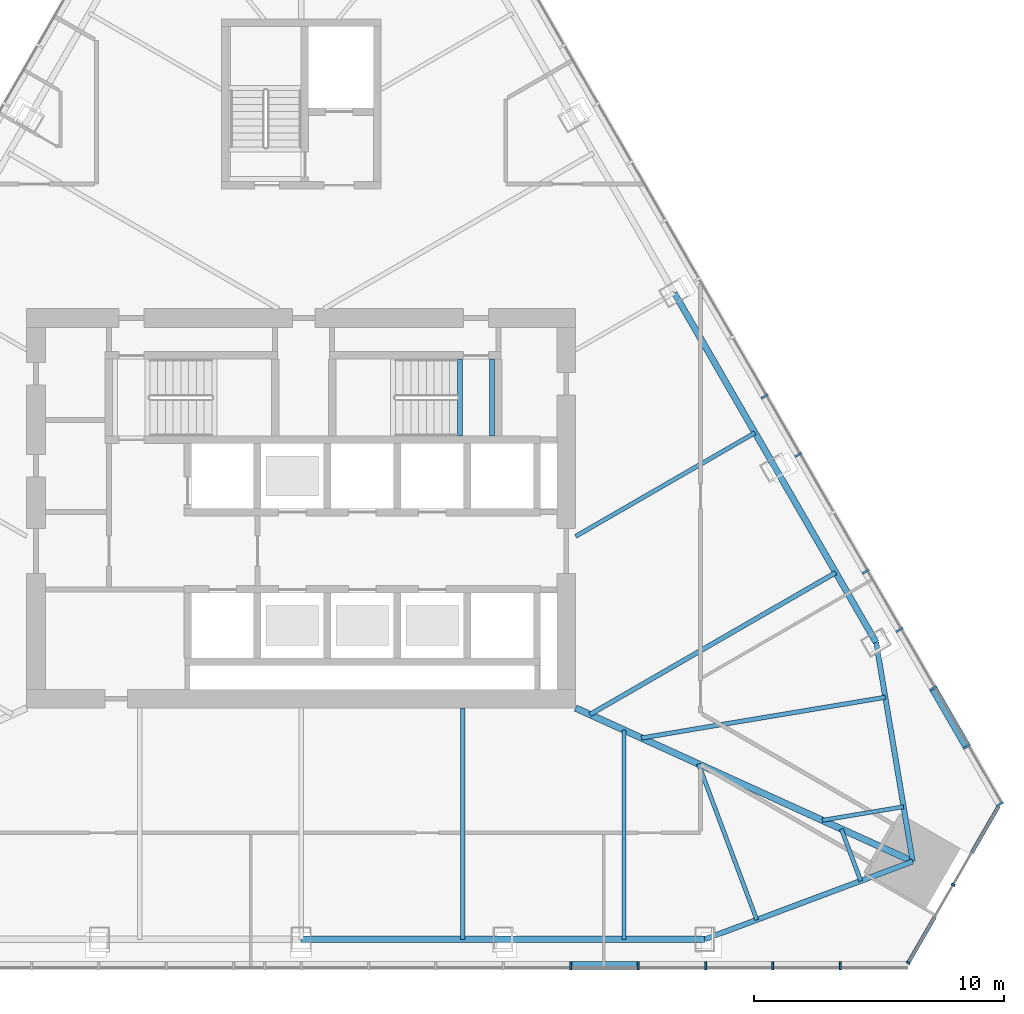
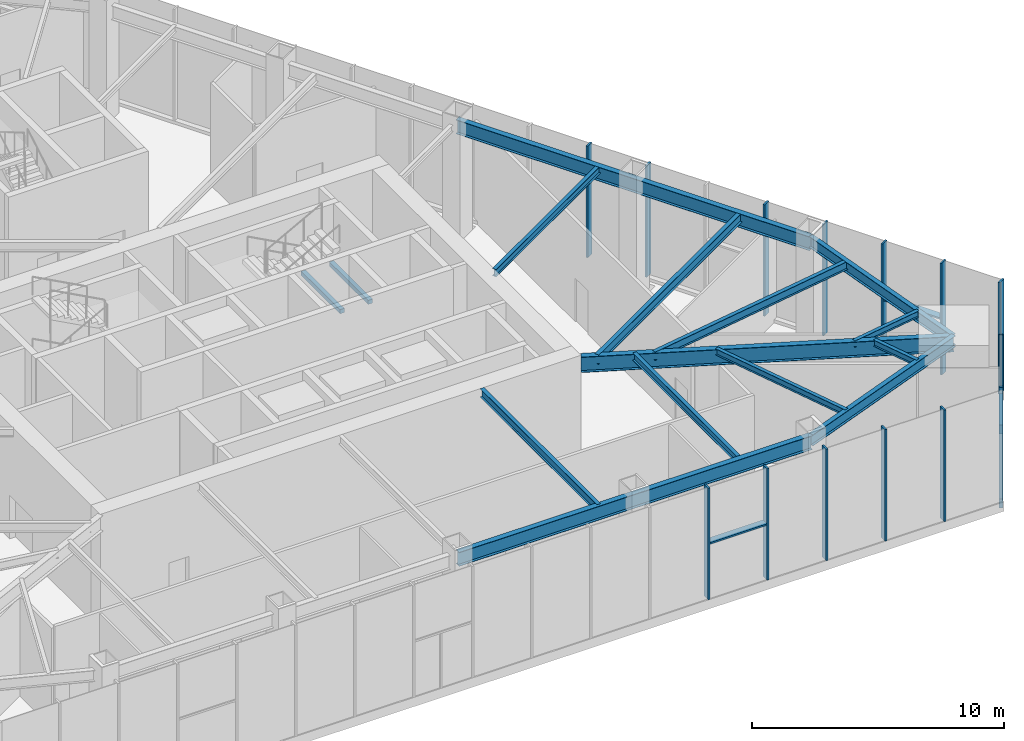
# One storey, part 5 of 16: 18 members, 15 beams, 3 elements without a shape of their own.
"""IFC4 building model written with IfcOpenShell, lengths in metres."""

from ifc_helpers import new_model, si_unit, direction, frame, origin, origin_2d, place, context, subcontext, project, spatial, rectangle, i_section, extrude, material, layer, layer_set, material_profile, profile_set, type_object, element, aggregate, save


model = new_model("IFC4")

# Units and contexts
model_context = context("Model", 3, precision=1e-05, world=origin(), true_north=direction((0.0, 1.0)))
body_context = subcontext(model_context, "Body", "Model", "MODEL_VIEW")
ifc_project = project(units=[si_unit("LENGTHUNIT", "METRE"), si_unit("AREAUNIT", "SQUARE_METRE"), si_unit("VOLUMEUNIT", "CUBIC_METRE"), si_unit("PLANEANGLEUNIT", "RADIAN"), si_unit("MASSUNIT", "GRAM", prefix="KILO")], contexts=[model_context])

# Site, building, storey
site_placement = place(None, origin())
site = spatial("IfcSite", under=ifc_project, at=site_placement, CompositionType="ELEMENT")
building_placement = place(site_placement, origin())
building = spatial("IfcBuilding", under=site, at=building_placement, Name="Firuza Gate Tower and Library", CompositionType="ELEMENT")
storey_placement = place(building_placement, frame((0.0, 0.0, 241.60009765625)))
storey = spatial("IfcBuildingStorey", under=building, at=storey_placement, Name="L57", CompositionType="ELEMENT", Elevation=241.60009765625)

# Curtain wall, members
ifc_material_1 = material(Name="Aluminium 6063-T6", Category="aluminium")
ifc_layer_1 = layer(ifc_material_1, 0.14990234375)
ifc_layer_set_1 = layer_set([ifc_layer_1], Name="Corner curtain wall, chamfers")
curtain_wall_type_1 = type_object("IfcCurtainWallType", Name="Corner curtain wall, chamfers", PredefinedType="NOTDEFINED", material=ifc_layer_set_1)
placement = place(storey_placement, origin())
curtain_wall_1 = element("IfcCurtainWall", 1, at=placement, inside=storey, type_object=curtain_wall_type_1, Name="CW4 L57 SE corner", PredefinedType="NOTDEFINED")
ifc_material_2 = material(Name="Aluminium 6063-T6", Category="aluminium")
ifc_material_profile_1 = material_profile(ifc_material_2, rectangle(XDim=0.14990234375, YDim=0.080078125, at=origin_2d()))
ifc_profile_set_1 = profile_set([ifc_material_profile_1], Name="Aluminium 6063-T6")
member_type_1 = type_object("IfcMemberType", Name="Curtain wall mullion 80x150", PredefinedType="MULLION", material=ifc_profile_set_1)
member_1_placement = place(storey_placement, frame((99.32568359375, 56.794921875, 0.14990234375), z_axis=(0.0, 0.0, 1.0), x_axis=(-0.866025403784, 0.5, 0.0)))
member_1 = element("IfcMember", 2, at=member_1_placement, type_object=member_type_1, Name="Mullion", PredefinedType="MULLION", context=body_context, shape_type="SweptSolid", body=[
    extrude(rectangle(XDim=0.14990234375, YDim=0.080078125, at=origin_2d()), origin(), (0.0, 0.0, 1.0), 5.39990234375),
])
member_2_placement = place(storey_placement, frame((101.12744140625, 59.915283203125, 0.14990234375), z_axis=(0.0, 0.0, 1.0), x_axis=(-0.866025403784, 0.5, 0.0)))
member_2 = element("IfcMember", 3, at=member_2_placement, type_object=member_type_1, Name="Mullion", PredefinedType="MULLION", context=body_context, shape_type="SweptSolid", body=[
    extrude(rectangle(XDim=0.14990234375, YDim=0.080078125, at=origin_2d()), origin(), (0.0, 0.0, 1.0), 5.39990234375),
])

ifc_material_3 = material(Name="Aluminium 6063-T6", Category="aluminium")
ifc_layer_2 = layer(ifc_material_3, 0.14990234375)
ifc_layer_set_2 = layer_set([ifc_layer_2], Name="Unitised curtain wall, hotel")
curtain_wall_type_2 = type_object("IfcCurtainWallType", Name="Unitised curtain wall, hotel", PredefinedType="NOTDEFINED", material=ifc_layer_set_2)
curtain_wall_2 = element("IfcCurtainWall", 4, at=placement, inside=storey, type_object=curtain_wall_type_2, Name="CW2 L57 S face", PredefinedType="NOTDEFINED")
ifc_material_4 = material(Name="Aluminium 6063-T6", Category="aluminium")
ifc_material_profile_2 = material_profile(ifc_material_4, rectangle(XDim=0.320068359375, YDim=0.080078125, at=origin_2d()))
ifc_profile_set_2 = profile_set([ifc_material_profile_2], Name="Aluminium 6063-T6")
member_type_2 = type_object("IfcMemberType", Name="Curtain wall mullion 80x320", PredefinedType="MULLION", material=ifc_profile_set_2)
member_3_placement = place(storey_placement, frame((85.802490234375, 56.675048828125, 0.14990234375), z_axis=(0.0, 0.0, 1.0), x_axis=(0.0, 1.0, 0.0)))
member_3 = element("IfcMember", 5, at=member_3_placement, type_object=member_type_2, Name="Mullion", PredefinedType="MULLION", context=body_context, shape_type="SweptSolid", body=[
    extrude(rectangle(XDim=0.320068359375, YDim=0.080078125, at=origin_2d()), origin(), (0.0, 0.0, 1.0), 5.39990234375),
])
member_4_placement = place(storey_placement, frame((88.503173828125, 56.675048828125, 0.14990234375), z_axis=(0.0, 0.0, 1.0), x_axis=(0.0, 1.0, 0.0)))
member_4 = element("IfcMember", 6, at=member_4_placement, type_object=member_type_2, Name="Mullion", PredefinedType="MULLION", context=body_context, shape_type="SweptSolid", body=[
    extrude(rectangle(XDim=0.320068359375, YDim=0.080078125, at=origin_2d()), origin(), (0.0, 0.0, 1.0), 5.39990234375),
])
member_5_placement = place(storey_placement, frame((91.203857421875, 56.675048828125, 0.14990234375), z_axis=(0.0, 0.0, 1.0), x_axis=(0.0, 1.0, 0.0)))
member_5 = element("IfcMember", 7, at=member_5_placement, type_object=member_type_2, Name="Mullion", PredefinedType="MULLION", context=body_context, shape_type="SweptSolid", body=[
    extrude(rectangle(XDim=0.320068359375, YDim=0.080078125, at=origin_2d()), origin(), (0.0, 0.0, 1.0), 5.39990234375),
])
member_6_placement = place(storey_placement, frame((93.904541015625, 56.675048828125, 0.14990234375), z_axis=(0.0, 0.0, 1.0), x_axis=(0.0, 1.0, 0.0)))
member_6 = element("IfcMember", 8, at=member_6_placement, type_object=member_type_2, Name="Mullion", PredefinedType="MULLION", context=body_context, shape_type="SweptSolid", body=[
    extrude(rectangle(XDim=0.320068359375, YDim=0.080078125, at=origin_2d()), origin(), (0.0, 0.0, 1.0), 5.39990234375),
])
member_7_placement = place(storey_placement, frame((96.60498046875, 56.675048828125, 0.14990234375), z_axis=(0.0, 0.0, 1.0), x_axis=(0.0, 1.0, 0.0)))
member_7 = element("IfcMember", 9, at=member_7_placement, type_object=member_type_2, Name="Mullion", PredefinedType="MULLION", context=body_context, shape_type="SweptSolid", body=[
    extrude(rectangle(XDim=0.320068359375, YDim=0.080078125, at=origin_2d()), origin(), (0.0, 0.0, 1.0), 5.39990234375),
])

curtain_wall_3 = element("IfcCurtainWall", 10, at=placement, inside=storey, type_object=curtain_wall_type_2, Name="CW2 L57 E face", PredefinedType="NOTDEFINED")
member_8_placement = place(storey_placement, frame((103.002685546875, 63.147705078125, 0.14990234375), z_axis=(0.0, 0.0, 1.0), x_axis=(-0.866025403784, -0.5, 0.0)))
member_8 = element("IfcMember", 11, at=member_8_placement, type_object=member_type_2, Name="Mullion", PredefinedType="MULLION", context=body_context, shape_type="SweptSolid", body=[
    extrude(rectangle(XDim=0.320068359375, YDim=0.080078125, at=origin_2d()), origin(), (0.0, 0.0, 1.0), 5.39990234375),
])
member_9_placement = place(storey_placement, frame((101.67236328125, 65.451904296875, 0.14990234375), z_axis=(0.0, 0.0, 1.0), x_axis=(-0.866025403784, -0.5, 0.0)))
member_9 = element("IfcMember", 12, at=member_9_placement, type_object=member_type_2, Name="Mullion", PredefinedType="MULLION", context=body_context, shape_type="SweptSolid", body=[
    extrude(rectangle(XDim=0.320068359375, YDim=0.080078125, at=origin_2d()), origin(), (0.0, 0.0, 1.0), 5.39990234375),
])
member_10_placement = place(storey_placement, frame((100.322021484375, 67.790771484375, 0.14990234375), z_axis=(0.0, 0.0, 1.0), x_axis=(-0.866025403784, -0.5, 0.0)))
member_10 = element("IfcMember", 13, at=member_10_placement, type_object=member_type_2, Name="Mullion", PredefinedType="MULLION", context=body_context, shape_type="SweptSolid", body=[
    extrude(rectangle(XDim=0.320068359375, YDim=0.080078125, at=origin_2d()), origin(), (0.0, 0.0, 1.0), 5.39990234375),
])
member_11_placement = place(storey_placement, frame((98.9716796875, 70.12939453125, 0.14990234375), z_axis=(0.0, 0.0, 1.0), x_axis=(-0.866025403784, -0.5, 0.0)))
member_11 = element("IfcMember", 14, at=member_11_placement, type_object=member_type_2, Name="Mullion", PredefinedType="MULLION", context=body_context, shape_type="SweptSolid", body=[
    extrude(rectangle(XDim=0.320068359375, YDim=0.080078125, at=origin_2d()), origin(), (0.0, 0.0, 1.0), 5.39990234375),
])
member_12_placement = place(storey_placement, frame((97.621337890625, 72.46826171875, 0.14990234375), z_axis=(0.0, 0.0, 1.0), x_axis=(-0.866025403784, -0.5, 0.0)))
member_12 = element("IfcMember", 15, at=member_12_placement, type_object=member_type_2, Name="Mullion", PredefinedType="MULLION", context=body_context, shape_type="SweptSolid", body=[
    extrude(rectangle(XDim=0.320068359375, YDim=0.080078125, at=origin_2d()), origin(), (0.0, 0.0, 1.0), 5.39990234375),
])
member_13_placement = place(storey_placement, frame((94.920654296875, 77.14599609375, 0.14990234375), z_axis=(0.0, 0.0, 1.0), x_axis=(-0.866025403784, -0.5, 0.0)))
member_13 = element("IfcMember", 16, at=member_13_placement, type_object=member_type_2, Name="Mullion", PredefinedType="MULLION", context=body_context, shape_type="SweptSolid", body=[
    extrude(rectangle(XDim=0.320068359375, YDim=0.080078125, at=origin_2d()), origin(), (0.0, 0.0, 1.0), 5.39990234375),
])
member_14_placement = place(storey_placement, frame((93.5703125, 79.48486328125, 0.14990234375), z_axis=(0.0, 0.0, 1.0), x_axis=(-0.866025403784, -0.5, 0.0)))
member_14 = element("IfcMember", 17, at=member_14_placement, type_object=member_type_2, Name="Mullion", PredefinedType="MULLION", context=body_context, shape_type="SweptSolid", body=[
    extrude(rectangle(XDim=0.320068359375, YDim=0.080078125, at=origin_2d()), origin(), (0.0, 0.0, 1.0), 5.39990234375),
])

# Member
ifc_material_5 = material(Name="Aluminium 6063-T6", Category="aluminium")
ifc_material_profile_3 = material_profile(ifc_material_5, rectangle(XDim=0.14990234375, YDim=0.449951171875, at=origin_2d()))
ifc_profile_set_3 = profile_set([ifc_material_profile_3], Name="Aluminium 6063-T6")
member_type_3 = type_object("IfcMemberType", Name="Curtain wall transom 450x150", PredefinedType="USERDEFINED", material=ifc_profile_set_3)
member_15_placement = place(storey_placement, frame((99.3056640625, 56.76025390625, -0.0751953125), z_axis=(0.500083913605, 0.865976950821, 0.0), x_axis=(-0.865976950821, 0.500083913605, 0.0)))
member_15 = element("IfcMember", 18, at=member_15_placement, type_object=member_type_3, Name="Transom", ObjectType="TRANSOM", PredefinedType="USERDEFINED", context=body_context, shape_type="SweptSolid", body=[
    extrude(rectangle(XDim=0.14990234375, YDim=0.449951171875, at=origin_2d()), origin(), (0.0, 0.0, 1.0), 2.163330078125),
])

member_16_placement = place(storey_placement, frame((101.867431640625, 61.197021484375, -0.0751953125), z_axis=(0.499950402033, 0.866054037291, 0.0), x_axis=(-0.866054037291, 0.499950402033, 0.0)))
member_16 = element("IfcMember", 19, at=member_16_placement, type_object=member_type_3, Name="Transom", ObjectType="TRANSOM", PredefinedType="USERDEFINED", context=body_context, shape_type="SweptSolid", body=[
    extrude(rectangle(XDim=0.14990234375, YDim=0.449951171875, at=origin_2d()), origin(), (0.0, 0.0, 1.0), 2.163330078125),
])

aggregate(curtain_wall_1, [member_1, member_2, member_15, member_16])

ifc_material_6 = material(Name="Aluminium 6063-T6", Category="aluminium")
ifc_material_profile_4 = material_profile(ifc_material_6, rectangle(XDim=0.320068359375, YDim=0.080078125, at=origin_2d()))
ifc_profile_set_4 = profile_set([ifc_material_profile_4], Name="Aluminium 6063-T6")
member_type_4 = type_object("IfcMemberType", Name="Curtain wall transom 80x320", PredefinedType="USERDEFINED", material=ifc_profile_set_4)
member_17_placement = place(storey_placement, frame((85.842529296875, 56.675048828125, 2.849853515625), z_axis=(1.0, 0.0, 0.0), x_axis=(0.0, 1.0, 0.0)))
member_17 = element("IfcMember", 20, at=member_17_placement, type_object=member_type_4, Name="Transom", ObjectType="TRANSOM", PredefinedType="USERDEFINED", context=body_context, shape_type="SweptSolid", body=[
    extrude(rectangle(XDim=0.320068359375, YDim=0.080078125, at=origin_2d()), origin(), (0.0, 0.0, 1.0), 2.62060546875),
])

aggregate(curtain_wall_2, [member_3, member_4, member_5, member_6, member_7, member_17])

member_18_placement = place(storey_placement, frame((101.65234375, 65.486572265625, 2.849853515625), z_axis=(-0.499996639036, 0.866027344229, 0.0), x_axis=(-0.866027344229, -0.499996639036, 0.0)))
member_18 = element("IfcMember", 21, at=member_18_placement, type_object=member_type_4, Name="Transom", ObjectType="TRANSOM", PredefinedType="USERDEFINED", context=body_context, shape_type="SweptSolid", body=[
    extrude(rectangle(XDim=0.320068359375, YDim=0.080078125, at=origin_2d()), origin(), (0.0, 0.0, 1.0), 2.62060546875),
])

aggregate(curtain_wall_3, [member_8, member_9, member_10, member_11, member_12, member_13, member_14, member_18])

# Beams
ifc_material_7 = material(Name="Concrete C35/45", Category="concrete")
ifc_material_profile_5 = material_profile(ifc_material_7, rectangle(XDim=0.199951171875, YDim=0.199951171875, at=origin_2d()))
ifc_profile_set_5 = profile_set([ifc_material_profile_5], Name="Concrete C35/45")
beam_type_1 = type_object("IfcBeamType", Name="Stair landing bearer 200x200", PredefinedType="BEAM", material=ifc_profile_set_5)
for number, where, z_axis, x_axis, name in (
    (22, (81.360107421875, 80.97998046875, 2.699951171875), (0.0, -1.0, 0.0), (1.0, 0.0, 0.0), "Landing bearer L57 stair 2"),
    (23, (82.64990234375, 80.97998046875, 2.699951171875), (0.0, -1.0, 0.0), (1.0, 0.0, 0.0), "Landing bearer L57 stair 2"),
):
    element("IfcBeam", number, at=place(storey_placement, frame(where, z_axis=z_axis, x_axis=x_axis)), inside=storey, type_object=beam_type_1, Name=name, PredefinedType="BEAM", context=body_context, shape_type="SweptSolid", body=[
        extrude(rectangle(XDim=0.199951171875, YDim=0.199951171875, at=origin_2d()), origin(), (0.0, 0.0, 1.0), 3.080078125),
    ])
ifc_material_8 = material(Name="Steel S355", Category="steel")
ifc_material_profile_6 = material_profile(ifc_material_8, i_section(OverallWidth=0.1650390625, OverallDepth=0.31005859375, WebThickness=0.005859375, FlangeThickness=0.009765625, at=origin_2d()))
ifc_profile_set_6 = profile_set([ifc_material_profile_6], Name="Steel S355")
beam_type_2 = type_object("IfcBeamType", Name="W310x39 Floor beam", PredefinedType="JOIST", material=ifc_profile_set_6)
beam_1_placement = place(storey_placement, frame((93.257080078125, 58.5146484375, 5.39501953125), z_axis=(-0.350577798821, 0.936533612303, 0.0), x_axis=(-0.936533612303, -0.350577798821, 0.0)))
element("IfcBeam", 24, at=beam_1_placement, inside=storey, type_object=beam_type_2, Name="Floor beam L57 s30", PredefinedType="JOIST", context=body_context, shape_type="SweptSolid", body=[
    extrude(i_section(OverallWidth=0.1650390625, OverallDepth=0.31005859375, WebThickness=0.005859375, FlangeThickness=0.009765625, at=origin_2d()), origin(), (0.0, 0.0, 1.0), 6.66943359375),
])
beam_2_placement = place(storey_placement, frame((97.42138671875, 60.073486328125, 5.39501953125), z_axis=(-0.35054569106, 0.936545630751, 0.0), x_axis=(-0.936545630751, -0.35054569106, 0.0)))
element("IfcBeam", 25, at=beam_2_placement, inside=storey, type_object=beam_type_2, Name="Floor beam L57 s31", PredefinedType="JOIST", context=body_context, shape_type="SweptSolid", body=[
    extrude(i_section(OverallWidth=0.1650390625, OverallDepth=0.31005859375, WebThickness=0.005859375, FlangeThickness=0.009765625, at=origin_2d()), origin(), (0.0, 0.0, 1.0), 2.22314453125),
])
beam_3_placement = place(storey_placement, frame((99.137451171875, 63.045654296875, 5.39501953125), z_axis=(-0.986361931046, -0.164590828974, 0.0), x_axis=(0.164590828974, -0.986361931046, 0.0)))
element("IfcBeam", 26, at=beam_3_placement, inside=storey, type_object=beam_type_2, Name="Floor beam L57 s40", PredefinedType="JOIST", context=body_context, shape_type="SweptSolid", body=[
    extrude(i_section(OverallWidth=0.1650390625, OverallDepth=0.31005859375, WebThickness=0.005859375, FlangeThickness=0.009765625, at=origin_2d()), origin(), (0.0, 0.0, 1.0), 3.3017578125),
])
ifc_material_9 = material(Name="Steel S355", Category="steel")
ifc_material_profile_7 = material_profile(ifc_material_9, i_section(OverallWidth=0.1708984375, OverallDepth=0.35498046875, WebThickness=0.007080078125, FlangeThickness=0.01171875, at=origin_2d()))
ifc_profile_set_7 = profile_set([ifc_material_profile_7], Name="Steel S355")
beam_type_3 = type_object("IfcBeamType", Name="W360x51 Floor beam", PredefinedType="JOIST", material=ifc_profile_set_7)
beam_4_placement = place(storey_placement, frame((87.93994140625, 57.735107421875, 5.372314453125), z_axis=(0.0, 1.0, 0.0), x_axis=(-1.0, 0.0, 0.0)))
element("IfcBeam", 27, at=beam_4_placement, inside=storey, type_object=beam_type_3, Name="Floor beam L57 s24", PredefinedType="JOIST", context=body_context, shape_type="SweptSolid", body=[
    extrude(i_section(OverallWidth=0.1708984375, OverallDepth=0.35498046875, WebThickness=0.007080078125, FlangeThickness=0.01171875, at=origin_2d()), origin(), (0.0, 0.0, 1.0), 8.3818359375),
])
beam_5_placement = place(storey_placement, frame((93.186767578125, 78.029296875, 5.372314453125), z_axis=(-0.866018523056, -0.500011917582, 0.0), x_axis=(0.500011917582, -0.866018523056, 0.0)))
element("IfcBeam", 28, at=beam_5_placement, inside=storey, type_object=beam_type_3, Name="Floor beam L57 s51", PredefinedType="JOIST", context=body_context, shape_type="SweptSolid", body=[
    extrude(i_section(OverallWidth=0.1708984375, OverallDepth=0.35498046875, WebThickness=0.007080078125, FlangeThickness=0.01171875, at=origin_2d()), origin(), (0.0, 0.0, 1.0), 8.298583984375),
])
ifc_material_10 = material(Name="Steel S355", Category="steel")
ifc_material_profile_8 = material_profile(ifc_material_10, i_section(OverallWidth=0.177978515625, OverallDepth=0.406982421875, WebThickness=0.0078125, FlangeThickness=0.0126953125, at=origin_2d()))
ifc_profile_set_8 = profile_set([ifc_material_profile_8], Name="Steel S355")
beam_type_4 = type_object("IfcBeamType", Name="W410x60 Floor beam", PredefinedType="JOIST", material=ifc_profile_set_8)
beam_6_placement = place(storey_placement, frame((81.469970703125, 57.735107421875, 5.346435546875), z_axis=(0.0, 1.0, 0.0), x_axis=(-1.0, 0.0, 0.0)))
element("IfcBeam", 29, at=beam_6_placement, inside=storey, type_object=beam_type_4, Name="Floor beam L57 s23", PredefinedType="JOIST", context=body_context, shape_type="SweptSolid", body=[
    extrude(i_section(OverallWidth=0.177978515625, OverallDepth=0.406982421875, WebThickness=0.0078125, FlangeThickness=0.0126953125, at=origin_2d()), origin(), (0.0, 0.0, 1.0), 9.264892578125),
])
beam_7_placement = place(storey_placement, frame((98.4052734375, 67.431640625, 5.346435546875), z_axis=(-0.986349924668, -0.164662764785, 0.0), x_axis=(0.164662764785, -0.986349924668, 0.0)))
element("IfcBeam", 30, at=beam_7_placement, inside=storey, type_object=beam_type_4, Name="Floor beam L57 s41", PredefinedType="JOIST", context=body_context, shape_type="SweptSolid", body=[
    extrude(i_section(OverallWidth=0.177978515625, OverallDepth=0.406982421875, WebThickness=0.0078125, FlangeThickness=0.0126953125, at=origin_2d()), origin(), (0.0, 0.0, 1.0), 9.90576171875),
])
ifc_material_11 = material(Name="Steel S355", Category="steel")
ifc_material_profile_9 = material_profile(ifc_material_11, i_section(OverallWidth=0.18994140625, OverallDepth=0.45703125, WebThickness=0.009033203125, FlangeThickness=0.014404296875, at=origin_2d()))
ifc_profile_set_9 = profile_set([ifc_material_profile_9], Name="Steel S355")
beam_type_5 = type_object("IfcBeamType", Name="W460x74 Floor beam", PredefinedType="JOIST", material=ifc_profile_set_9)
beam_8_placement = place(storey_placement, frame((96.421875, 72.426025390625, 5.3212890625), z_axis=(-0.866031159827, -0.499990030109, 0.0), x_axis=(0.499990030109, -0.866031159827, 0.0)))
element("IfcBeam", 31, at=beam_8_placement, inside=storey, type_object=beam_type_5, Name="Floor beam L57 s50", PredefinedType="JOIST", context=body_context, shape_type="SweptSolid", body=[
    extrude(i_section(OverallWidth=0.18994140625, OverallDepth=0.45703125, WebThickness=0.009033203125, FlangeThickness=0.014404296875, at=origin_2d()), origin(), (0.0, 0.0, 1.0), 11.373291015625),
])
ifc_material_12 = material(Name="Steel S355", Category="steel")
ifc_material_profile_10 = material_profile(ifc_material_12, i_section(OverallWidth=0.212890625, OverallDepth=0.5390625, WebThickness=0.01171875, FlangeThickness=0.018798828125, at=origin_2d()))
ifc_profile_set_10 = profile_set([ifc_material_profile_10], Name="Steel S355")
beam_type_6 = type_object("IfcBeamType", Name="W530x109 Edge beam", PredefinedType="SPANDREL", material=ifc_profile_set_10)
for number, where, z_axis, x_axis, name in (
    (32, (91.175048828125, 57.735107421875, 5.280517578125), (0.936534351457, 0.350575824239, 0.0), (-0.350575824239, 0.936534351457, 0.0), "Edge beam L57 e30"),
    (33, (99.503662109375, 60.852783203125, 5.280517578125), (-0.164661637586, 0.986350112844, 0.0), (-0.986350112844, -0.164661637586, 0.0), "Edge beam L57 e40"),
):
    element("IfcBeam", number, at=place(storey_placement, frame(where, z_axis=z_axis, x_axis=x_axis)), inside=storey, type_object=beam_type_6, Name=name, PredefinedType="SPANDREL", context=body_context, shape_type="SweptSolid", body=[
        extrude(i_section(OverallWidth=0.212890625, OverallDepth=0.5390625, WebThickness=0.01171875, FlangeThickness=0.018798828125, at=origin_2d()), origin(), (0.0, 0.0, 1.0), 8.89306640625),
    ])
ifc_material_13 = material(Name="Steel S355", Category="steel")
ifc_material_profile_11 = material_profile(ifc_material_13, i_section(OverallWidth=0.2529296875, OverallDepth=0.677978515625, WebThickness=0.01171875, FlangeThickness=0.016357421875, at=origin_2d()))
ifc_profile_set_11 = profile_set([ifc_material_profile_11], Name="Steel S355")
beam_type_7 = type_object("IfcBeamType", Name="W690x125 Edge beam", PredefinedType="SPANDREL", material=ifc_profile_set_11)
beam_9_placement = place(storey_placement, frame((75.0, 57.735107421875, 5.2109375), z_axis=(1.0, 0.0, 0.0), x_axis=(0.0, 1.0, 0.0)))
element("IfcBeam", 34, at=beam_9_placement, inside=storey, type_object=beam_type_7, Name="Edge beam L57 e22", PredefinedType="SPANDREL", context=body_context, shape_type="SweptSolid", body=[
    extrude(i_section(OverallWidth=0.2529296875, OverallDepth=0.677978515625, WebThickness=0.01171875, FlangeThickness=0.016357421875, at=origin_2d()), origin(), (0.0, 0.0, 1.0), 16.175048828125),
])
beam_10_placement = place(storey_placement, frame((98.039306640625, 69.62451171875, 5.2109375), z_axis=(-0.499999444791, 0.866025724335, 0.0), x_axis=(-0.866025724335, -0.499999444791, 0.0)))
element("IfcBeam", 35, at=beam_10_placement, inside=storey, type_object=beam_type_7, Name="Edge beam L57 e50", PredefinedType="SPANDREL", context=body_context, shape_type="SweptSolid", body=[
    extrude(i_section(OverallWidth=0.2529296875, OverallDepth=0.677978515625, WebThickness=0.01171875, FlangeThickness=0.016357421875, at=origin_2d()), origin(), (0.0, 0.0, 1.0), 16.1748046875),
])
ifc_material_14 = material(Name="Steel S355", Category="steel")
ifc_material_profile_12 = material_profile(ifc_material_14, i_section(OverallWidth=0.264892578125, OverallDepth=0.7529296875, WebThickness=0.01318359375, FlangeThickness=0.01708984375, at=origin_2d()))
ifc_profile_set_12 = profile_set([ifc_material_profile_12], Name="Steel S355")
beam_type_8 = type_object("IfcBeamType", Name="W760x147 Girder", PredefinedType="BEAM", material=ifc_profile_set_12)
beam_11_placement = place(storey_placement, frame((99.503662109375, 60.852783203125, 5.17333984375), z_axis=(-0.910133034864, 0.414316133949, 0.0), x_axis=(-0.414316133949, -0.910133034864, 0.0)))
element("IfcBeam", 36, at=beam_11_placement, inside=storey, type_object=beam_type_8, Name="Girder L57 gSE", PredefinedType="BEAM", context=body_context, shape_type="SweptSolid", body=[
    extrude(i_section(OverallWidth=0.264892578125, OverallDepth=0.7529296875, WebThickness=0.01318359375, FlangeThickness=0.01708984375, at=origin_2d()), origin(), (0.0, 0.0, 1.0), 14.8369140625),
])

save(model, "model.ifc")
